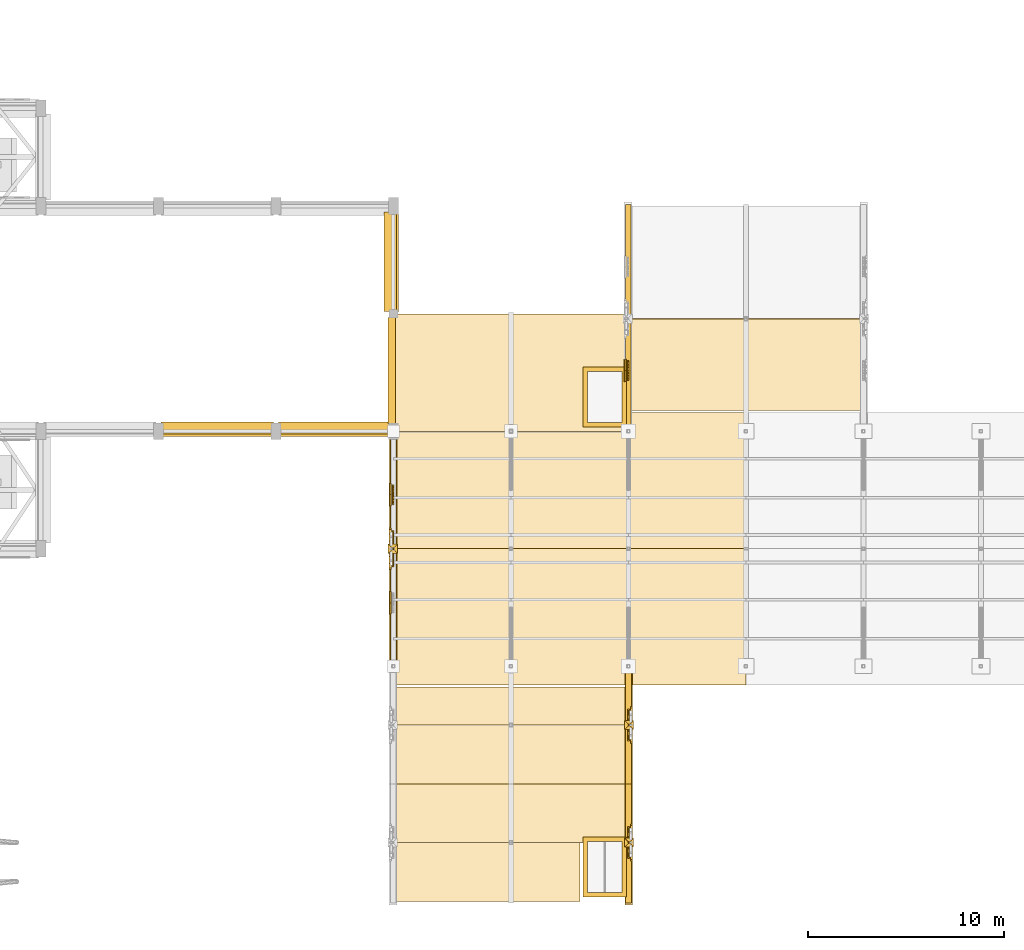
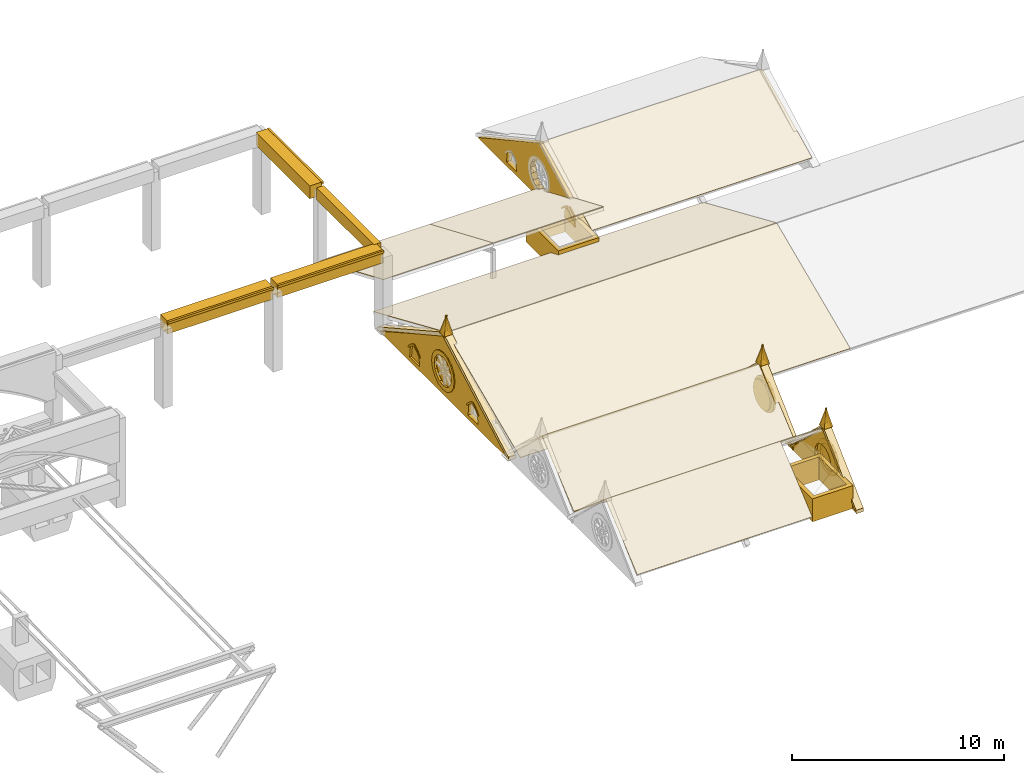
# One storey, part 55 of 59: 48 coverings.
"""IFC4 building model written with IfcOpenShell, lengths in metres."""

from ifc_helpers import new_model, si_unit, direction, frame, origin, origin_2d, place, context, subcontext, project, spatial, polyline, rectangle, outline, extrude, material, type_object, element, save


model = new_model("IFC4")

# Units and contexts
model_context = context("Model", 3, precision=1e-05, world=origin(), true_north=direction((0.0, 1.0)))
body_context = subcontext(model_context, "Body", "Model", "MODEL_VIEW")
ifc_project = project(units=[si_unit("LENGTHUNIT", "METRE"), si_unit("AREAUNIT", "SQUARE_METRE"), si_unit("VOLUMEUNIT", "CUBIC_METRE"), si_unit("PLANEANGLEUNIT", "RADIAN"), si_unit("MASSUNIT", "GRAM", prefix="KILO")], contexts=[model_context])

# Site, building, storey
site_placement = place(None, origin())
site = spatial("IfcSite", under=ifc_project, at=site_placement, CompositionType="ELEMENT")
building_placement = place(site_placement, origin())
building = spatial("IfcBuilding", under=site, at=building_placement, Name="Cumevento Cable Car Station", CompositionType="ELEMENT")
storey_placement = place(building_placement, frame((0.0, 0.0, 18.0)))
storey = spatial("IfcBuildingStorey", under=building, at=storey_placement, Name="L05", CompositionType="ELEMENT", Elevation=18.0)

# Coverings
ifc_material_1 = material(Name="Standing-Seam Zinc-Titanium Roof Sheet", Category="steel")
covering_type_1 = type_object("IfcCoveringType", Name="Standing-Seam Zinc Roofing CV-RF01", PredefinedType="ROOFING", material=ifc_material_1)
for number, where, z_axis, x_axis, name in (
    (1, (118.0, 32.050048828125, 0.49365234375), (0.0, -0.398735528577, 0.917065961777), (1.0, 0.0, 0.0), "Standing-Seam Zinc Roof Covering #13"),
    (2, (118.0, 38.9951171875, 3.517578125), (0.0, 0.398735528577, 0.917065961777), (1.0, 0.0, 0.0), "Standing-Seam Zinc Roof Covering #14"),
):
    element("IfcCovering", number, at=place(storey_placement, frame(where, z_axis=z_axis, x_axis=x_axis)), inside=storey, type_object=covering_type_1, Name=name, PredefinedType="ROOFING", context=body_context, shape_type="SweptSolid", body=[
        extrude(outline(polyline([(0.0, 0.0), (18.0, 0.0), (18.0, 7.583788161646252), (0.0, 7.583788161646252), (0.0, 0.0)])), origin(), (0.0, 0.0, -1.0), 0.02587890625),
    ])
covering_1_placement = place(storey_placement, frame((118.0, 21.0, 0.442626953125), z_axis=(0.0, -0.647650226022, 0.761937782718), x_axis=(1.0, 0.0, 0.0)))
element("IfcCovering", 3, at=covering_1_placement, inside=storey, type_object=covering_type_1, Name="Standing-Seam Zinc Roof Covering #45", PredefinedType="ROOFING", context=body_context, shape_type="SweptSolid", body=[
    extrude(outline(polyline([(0.0, 0.0), (9.5400390625, 0.0), (9.5400390625, 3.9241921088476133), (0.0, 3.9241921088476133), (0.0, 0.0)])), origin(), (0.0, 0.0, -1.0), 0.02587890625),
])
for number, where, z_axis, x_axis, name in (
    (4, (118.0, 24.010009765625, 2.984130859375), (0.0, 0.647650226022, 0.761937782718), (1.0, 0.0, 0.0), "Standing-Seam Zinc Roof Covering #46"),
    (5, (118.0, 27.0, 0.45849609375), (0.0, -0.647650226022, 0.761937782718), (1.0, 0.0, 0.0), "Standing-Seam Zinc Roof Covering #47"),
):
    element("IfcCovering", number, at=place(storey_placement, frame(where, z_axis=z_axis, x_axis=x_axis)), inside=storey, type_object=covering_type_1, Name=name, PredefinedType="ROOFING", context=body_context, shape_type="SweptSolid", body=[
        extrude(outline(polyline([(0.0, 0.0), (12.0, 0.0), (12.0, 3.924192108847613), (0.0, 3.924192108847613), (0.0, 0.0)])), origin(), (0.0, 0.0, -1.0), 0.02587890625),
    ])
covering_2_placement = place(storey_placement, frame((118.0, 30.010009765625, 3.0), z_axis=(0.0, 0.647642853154, 0.761944049625), x_axis=(1.0, 0.0, 0.0)))
element("IfcCovering", 6, at=covering_2_placement, inside=storey, type_object=covering_type_1, Name="Standing-Seam Zinc Roof Covering #48", PredefinedType="ROOFING", context=body_context, shape_type="SweptSolid", body=[
    extrude(outline(polyline([(0.0, 0.0), (12.0, 0.0), (12.0, 2.5460418087207737), (0.0, 2.5460418087207737), (0.0, 0.0)])), origin(), (0.0, 0.0, -1.0), 0.02587890625),
])
for number, where, z_axis, x_axis, name in (
    (7, (118.0, 45.0, 2.92138671875), (0.0, 0.391146984137, 0.920328222321), (1.0, 0.0, 0.0), "Standing-Seam Zinc Roof Covering #49"),
    (8, (124.0, 45.0, 2.92138671875), (0.0, 0.391146984137, 0.920328222321), (1.0, 0.0, 0.0), "Standing-Seam Zinc Roof Covering #50"),
):
    element("IfcCovering", number, at=place(storey_placement, frame(where, z_axis=z_axis, x_axis=x_axis)), inside=storey, type_object=covering_type_1, Name=name, PredefinedType="ROOFING", context=body_context, shape_type="SweptSolid", body=[
        extrude(outline(polyline([(0.0, 0.0), (6.0, 0.0), (6.0, 6.519413242449176), (0.0, 6.519413242449176), (0.0, 0.0)])), origin(), (0.0, 0.0, -1.0), 0.02587890625),
    ])
covering_3_placement = place(storey_placement, frame((130.0, 46.050048828125, 0.904052734375), z_axis=(0.0, -0.437828789366, 0.899058369185), x_axis=(1.0, 0.0, 0.0)))
element("IfcCovering", 9, at=covering_3_placement, inside=storey, type_object=covering_type_1, Name="Standing-Seam Zinc Roof Covering #51", PredefinedType="ROOFING", context=body_context, shape_type="SweptSolid", body=[
    extrude(outline(polyline([(0.0, 0.0), (12.0, 0.0), (12.0, 5.21650380775644), (0.0, 5.21650380775644), (0.0, 0.0)])), origin(), (0.0, 0.0, -1.0), 0.02587890625),
])
ifc_material_2 = material(Name="Gnaisse Facoidal Stone Ashlar 85 MPa", Category="masonry")
covering_type_2 = type_object("IfcCoveringType", Name="Gnaisse Ashlar Cladding CV-CL01", PredefinedType="CLADDING", material=ifc_material_2)
covering_4_placement = place(storey_placement, frame((109.0, 45.14990234375, 4.032958984375), z_axis=(0.0, 0.0, 1.0), x_axis=(-1.0, 0.0, 0.0)))
element("IfcCovering", 10, at=covering_4_placement, inside=storey, type_object=covering_type_2, Name="Gothic Stone Spandrel Stringcourse sc:0817", PredefinedType="CLADDING", context=body_context, shape_type="SweptSolid", body=[
    extrude(rectangle(XDim=5.739990234375, YDim=0.659912109375, at=origin_2d()), origin(), (0.0, 0.0, 1.0), 0.7470703125),
])
covering_5_placement = place(storey_placement, frame((109.0, 44.79248046875, 4.650146484375), z_axis=(0.0, 0.0, 1.0), x_axis=(-1.0, 0.0, 0.0)))
element("IfcCovering", 11, at=covering_5_placement, inside=storey, type_object=covering_type_2, Name="Gothic Cornice Dripstone Lip sc:0817", PredefinedType="CLADDING", context=body_context, shape_type="SweptSolid", body=[
    extrude(rectangle(XDim=5.780029296875, YDim=0.114990234375, at=origin_2d()), origin(), (0.0, 0.0, 1.0), 0.1298828125),
])
covering_6_placement = place(storey_placement, frame((115.0, 45.14990234375, 4.032958984375), z_axis=(0.0, 0.0, 1.0), x_axis=(-1.0, 0.0, 0.0)))
element("IfcCovering", 12, at=covering_6_placement, inside=storey, type_object=covering_type_2, Name="Gothic Stone Spandrel Stringcourse sc:0818", PredefinedType="CLADDING", context=body_context, shape_type="SweptSolid", body=[
    extrude(rectangle(XDim=5.739990234375, YDim=0.659912109375, at=origin_2d()), origin(), (0.0, 0.0, 1.0), 0.7470703125),
])
covering_7_placement = place(storey_placement, frame((115.0, 44.79248046875, 4.650146484375), z_axis=(0.0, 0.0, 1.0), x_axis=(-1.0, 0.0, 0.0)))
element("IfcCovering", 13, at=covering_7_placement, inside=storey, type_object=covering_type_2, Name="Gothic Cornice Dripstone Lip sc:0818", PredefinedType="CLADDING", context=body_context, shape_type="SweptSolid", body=[
    extrude(rectangle(XDim=5.780029296875, YDim=0.114990234375, at=origin_2d()), origin(), (0.0, 0.0, 1.0), 0.1298828125),
])
covering_8_placement = place(storey_placement, frame((117.909912109375, 48.10009765625, 4.0859375), z_axis=(0.0, 0.0, 1.0), x_axis=(0.0, -1.0, 0.0)))
element("IfcCovering", 14, at=covering_8_placement, inside=storey, type_object=covering_type_2, Name="Gothic Stone Spandrel Stringcourse sc:0822", PredefinedType="CLADDING", context=body_context, shape_type="SweptSolid", body=[
    extrude(rectangle(XDim=5.409912109375, YDim=0.3798828125, at=origin_2d()), origin(), (0.0, 0.0, 1.0), 0.694091796875),
])
covering_9_placement = place(storey_placement, frame((117.85009765625, 53.64990234375, 4.032958984375), z_axis=(0.0, 0.0, 1.0), x_axis=(0.0, -1.0, 0.0)))
element("IfcCovering", 15, at=covering_9_placement, inside=storey, type_object=covering_type_2, Name="Gothic Stone Spandrel Stringcourse sc:0823", PredefinedType="CLADDING", context=body_context, shape_type="SweptSolid", body=[
    extrude(rectangle(XDim=5.090087890625, YDim=0.659912109375, at=origin_2d()), origin(), (0.0, 0.0, 1.0), 0.7470703125),
])
covering_10_placement = place(storey_placement, frame((118.20751953125, 53.64990234375, 4.650146484375), z_axis=(0.0, 0.0, 1.0), x_axis=(0.0, -1.0, 0.0)))
element("IfcCovering", 16, at=covering_10_placement, inside=storey, type_object=covering_type_2, Name="Gothic Cornice Dripstone Lip sc:0823", PredefinedType="CLADDING", context=body_context, shape_type="SweptSolid", body=[
    extrude(rectangle(XDim=5.1298828125, YDim=0.114990234375, at=origin_2d()), origin(), (0.0, 0.0, 1.0), 0.1298828125),
])
placement_1 = place(storey_placement, frame((118.0, 33.0, 0.0), z_axis=(0.0, 0.0, 1.0), x_axis=(0.0, 1.0, 0.0)))
element("IfcCovering", 17, at=placement_1, inside=storey, type_object=covering_type_2, Name="Gothic Stone Gable Tympanum depot_garage_W", PredefinedType="CLADDING", context=body_context, shape_type="SweptSolid", body=[
    extrude(outline(polyline([(-0.080078125, -0.06005859375), (12.080078125, -0.06005859375), (6.0, 3.360107421875), (-0.080078125, -0.06005859375)]), holes=[polyline([(6.885498046875, 1.3447265625), (6.818115234375, 1.68359375), (6.626220703125, 1.970947265625), (6.3388671875, 2.1630859375), (6.0, 2.23046875), (5.6611328125, 2.1630859375), (5.373779296875, 1.970947265625), (5.181884765625, 1.68359375), (5.114501953125, 1.3447265625), (5.181884765625, 1.005859375), (5.373779296875, 0.718505859375), (5.6611328125, 0.526611328125), (6.0, 0.459228515625), (6.3388671875, 0.526611328125), (6.626220703125, 0.718505859375), (6.818115234375, 1.005859375), (6.885498046875, 1.3447265625)]), polyline([(2.764892578125, 0.179931640625), (3.715087890625, 0.179931640625), (3.6376953125, 0.84130859375), (3.55029296875, 0.9228515625), (3.453857421875, 0.993896484375), (3.35009765625, 1.052978515625), (3.239990234375, 1.099609375), (3.1298828125, 1.052978515625), (3.026123046875, 0.993896484375), (2.9296875, 0.9228515625), (2.84228515625, 0.84130859375), (2.764892578125, 0.179931640625)]), polyline([(8.284912109375, 0.179931640625), (9.235107421875, 0.179931640625), (9.15771484375, 0.84130859375), (9.0703125, 0.9228515625), (8.97412109375, 0.993896484375), (8.8701171875, 1.052978515625), (8.760009765625, 1.099609375), (8.64990234375, 1.052978515625), (8.5458984375, 0.993896484375), (8.44970703125, 0.9228515625), (8.3623046875, 0.84130859375), (8.284912109375, 0.179931640625)])]), frame((0.0, 0.159912109375, 0.0), z_axis=(0.0, -1.0, 0.0), x_axis=(1.0, 0.0, 0.0)), (0.0, 0.0, 1.0), 0.300048828125),
])
element("IfcCovering", 18, at=placement_1, inside=storey, type_object=covering_type_2, Name="Gothic Gable Recessed Tracery Backing depot_garage_W rose", PredefinedType="CLADDING", context=body_context, shape_type="SweptSolid", body=[
    extrude(outline(polyline([(6.925537109375, 1.3447265625), (6.855224609375, 1.698974609375), (6.654541015625, 1.999267578125), (6.354248046875, 2.199951171875), (6.0, 2.2705078125), (5.645751953125, 2.199951171875), (5.345458984375, 1.999267578125), (5.144775390625, 1.698974609375), (5.074462890625, 1.3447265625), (5.144775390625, 0.990478515625), (5.345458984375, 0.690185546875), (5.645751953125, 0.48974609375), (6.0, 0.419189453125), (6.354248046875, 0.48974609375), (6.654541015625, 0.690185546875), (6.855224609375, 0.990478515625), (6.925537109375, 1.3447265625)])), frame((0.0, 0.050048828125, 0.0), z_axis=(0.0, -1.0, 0.0), x_axis=(1.0, 0.0, 0.0)), (0.0, 0.0, 1.0), 0.074951171875),
])
element("IfcCovering", 19, at=placement_1, inside=storey, type_object=covering_type_2, Name="Gothic Gable Recessed Tracery Backing depot_garage_W lancet_1", PredefinedType="CLADDING", context=body_context, shape_type="SweptSolid", body=[
    extrude(outline(polyline([(8.2548828125, 0.14990234375), (9.264892578125, 0.14990234375), (9.1826171875, 0.847412109375), (9.089599609375, 0.933349609375), (8.987060546875, 1.008056640625), (8.876708984375, 1.070556640625), (8.760009765625, 1.11962890625), (8.643310546875, 1.070556640625), (8.532958984375, 1.008056640625), (8.430419921875, 0.933349609375), (8.33740234375, 0.847412109375), (8.2548828125, 0.14990234375)])), frame((0.0, 0.050048828125, 0.0), z_axis=(0.0, -1.0, 0.0), x_axis=(1.0, 0.0, 0.0)), (0.0, 0.0, 1.0), 0.074951171875),
])
element("IfcCovering", 20, at=placement_1, inside=storey, type_object=covering_type_2, Name="Gothic 16-Sided Stone Rose Window Ring depot_garage_W", PredefinedType="CLADDING", context=body_context, shape_type="SweptSolid", body=[
    extrude(outline(polyline([(7.065673828125, 1.3447265625), (6.984375, 1.752685546875), (6.75341796875, 2.098388671875), (6.40771484375, 2.329345703125), (6.0, 2.410400390625), (5.59228515625, 2.329345703125), (5.24658203125, 2.098388671875), (5.015625, 1.752685546875), (4.934326171875, 1.3447265625), (5.015625, 0.93701171875), (5.24658203125, 0.59130859375), (5.59228515625, 0.3603515625), (6.0, 0.279296875), (6.40771484375, 0.3603515625), (6.75341796875, 0.59130859375), (6.984375, 0.93701171875), (7.065673828125, 1.3447265625)]), holes=[polyline([(6.815673828125, 1.3447265625), (6.75341796875, 1.656982421875), (6.57666015625, 1.921630859375), (6.31201171875, 2.098388671875), (6.0, 2.160400390625), (5.68798828125, 2.098388671875), (5.42333984375, 1.921630859375), (5.24658203125, 1.656982421875), (5.184326171875, 1.3447265625), (5.24658203125, 1.03271484375), (5.42333984375, 0.76806640625), (5.68798828125, 0.59130859375), (6.0, 0.529296875), (6.31201171875, 0.59130859375), (6.57666015625, 0.76806640625), (6.75341796875, 1.03271484375), (6.815673828125, 1.3447265625)])]), frame((0.0, 0.215087890625, 0.0), z_axis=(0.0, -1.0, 0.0), x_axis=(1.0, 0.0, 0.0)), (0.0, 0.0, 1.0), 0.110107421875),
])
element("IfcCovering", 21, at=placement_1, inside=storey, type_object=covering_type_2, Name="Gable Lancet Stone Hood Moulding depot_garage_W #1", PredefinedType="CLADDING", context=body_context, shape_type="SweptSolid", body=[
    extrude(outline(polyline([(2.764892578125, 0.750244140625), (2.84228515625, 0.84130859375), (2.9296875, 0.9228515625), (3.026123046875, 0.993896484375), (3.1298828125, 1.052978515625), (3.239990234375, 1.099609375), (3.35009765625, 1.052978515625), (3.453857421875, 0.993896484375), (3.55029296875, 0.9228515625), (3.6376953125, 0.84130859375), (3.715087890625, 0.750244140625), (3.804931640625, 0.750244140625), (3.718017578125, 0.87158203125), (3.6162109375, 0.980712890625), (3.501220703125, 1.076171875), (3.375244140625, 1.15625), (3.239990234375, 1.219482421875), (3.104736328125, 1.15625), (2.978759765625, 1.076171875), (2.86376953125, 0.980712890625), (2.761962890625, 0.87158203125), (2.675048828125, 0.750244140625), (2.764892578125, 0.750244140625)])), frame((0.0, 0.205078125, 0.0), z_axis=(0.0, -1.0, 0.0), x_axis=(1.0, 0.0, 0.0)), (0.0, 0.0, 1.0), 0.090087890625),
])
element("IfcCovering", 22, at=placement_1, inside=storey, type_object=covering_type_2, Name="Gable Lancet Stone Hood Moulding depot_garage_W #2", PredefinedType="CLADDING", context=body_context, shape_type="SweptSolid", body=[
    extrude(outline(polyline([(8.284912109375, 0.750244140625), (8.3623046875, 0.84130859375), (8.44970703125, 0.9228515625), (8.5458984375, 0.993896484375), (8.64990234375, 1.052978515625), (8.760009765625, 1.099609375), (8.8701171875, 1.052978515625), (8.97412109375, 0.993896484375), (9.0703125, 0.9228515625), (9.15771484375, 0.84130859375), (9.235107421875, 0.750244140625), (9.324951171875, 0.750244140625), (9.238037109375, 0.87158203125), (9.13623046875, 0.980712890625), (9.021240234375, 1.076171875), (8.895263671875, 1.15625), (8.760009765625, 1.219482421875), (8.624755859375, 1.15625), (8.498779296875, 1.076171875), (8.3837890625, 0.980712890625), (8.281982421875, 0.87158203125), (8.195068359375, 0.750244140625), (8.284912109375, 0.750244140625)])), frame((0.0, 0.205078125, 0.0), z_axis=(0.0, -1.0, 0.0), x_axis=(1.0, 0.0, 0.0)), (0.0, 0.0, 1.0), 0.090087890625),
])
element("IfcCovering", 23, at=placement_1, inside=storey, type_object=covering_type_2, Name="Raking Gothic Stone Gable Coping depot_garage_W", PredefinedType="CLADDING", context=body_context, shape_type="SweptSolid", body=[
    extrude(outline(polyline([(-0.199951171875, -0.06005859375), (6.0, 3.360107421875), (12.199951171875, -0.06005859375), (12.199951171875, 0.139892578125), (6.0, 3.60009765625), (-0.199951171875, 0.139892578125), (-0.199951171875, -0.06005859375)])), frame((0.0, 0.219970703125, 0.0), z_axis=(0.0, -1.0, 0.0), x_axis=(1.0, 0.0, 0.0)), (0.0, 0.0, 1.0), 0.39990234375),
])
for number, where, z_axis, x_axis, name in (
    (24, (118.2099609375, 38.760009765625, 3.4599609375), (0.97486272659, 0.0, 0.222806338116), (0.0, 1.0, 0.0), "Gothic Gable Finial Spire Facet 1 depot_garage_W"),
    (25, (118.2099609375, 39.239990234375, 3.4599609375), (0.0, 0.97486272659, 0.222806338116), (-1.0, 0.0, 0.0), "Gothic Gable Finial Spire Facet 2 depot_garage_W"),
    (26, (117.72998046875, 39.239990234375, 3.4599609375), (-0.97486272659, 0.0, 0.222806338116), (0.0, -1.0, 0.0), "Gothic Gable Finial Spire Facet 3 depot_garage_W"),
    (27, (117.72998046875, 38.760009765625, 3.4599609375), (0.0, -0.97486272659, 0.222806338116), (1.0, 0.0, 0.0), "Gothic Gable Finial Spire Facet 4 depot_garage_W"),
):
    element("IfcCovering", number, at=place(storey_placement, frame(where, z_axis=z_axis, x_axis=x_axis)), inside=storey, type_object=covering_type_2, Name=name, PredefinedType="CLADDING", context=body_context, shape_type="SweptSolid", body=[
        extrude(outline(polyline([(0.0, 0.0), (0.47998046875, 0.0), (0.239990234375, 1.0771248089437238), (0.0, 0.0)])), origin(), (0.0, 0.0, -1.0), 0.06494140625),
    ])
placement_2 = place(storey_placement, frame((130.0, 27.0, 0.0), z_axis=(0.0, 0.0, 1.0), x_axis=(0.0, -1.0, 0.0)))
element("IfcCovering", 28, at=placement_2, inside=storey, type_object=covering_type_2, Name="Gothic Stone Gable Tympanum wing_B_V4b_core_E", PredefinedType="CLADDING", context=body_context, shape_type="SweptSolid", body=[
    extrude(outline(polyline([(-0.080078125, -0.06005859375), (6.080078125, -0.06005859375), (3.0, 2.909912109375), (-0.080078125, -0.06005859375)]), holes=[polyline([(3.76416015625, 1.160400390625), (3.7060546875, 1.45263671875), (3.540283203125, 1.70068359375), (3.29248046875, 1.8662109375), (3.0, 1.92431640625), (2.70751953125, 1.8662109375), (2.459716796875, 1.70068359375), (2.2939453125, 1.45263671875), (2.23583984375, 1.160400390625), (2.2939453125, 0.867919921875), (2.459716796875, 0.6201171875), (2.70751953125, 0.454345703125), (3.0, 0.396240234375), (3.29248046875, 0.454345703125), (3.540283203125, 0.6201171875), (3.7060546875, 0.867919921875), (3.76416015625, 1.160400390625)])]), frame((0.0, 0.159912109375, 0.0), z_axis=(0.0, -1.0, 0.0), x_axis=(1.0, 0.0, 0.0)), (0.0, 0.0, 1.0), 0.300048828125),
])
element("IfcCovering", 29, at=placement_2, inside=storey, type_object=covering_type_2, Name="Gothic Gable Recessed Tracery Backing wing_B_V4b_core_E rose", PredefinedType="CLADDING", context=body_context, shape_type="SweptSolid", body=[
    extrude(outline(polyline([(3.80419921875, 1.160400390625), (3.742919921875, 1.468017578125), (3.568603515625, 1.72900390625), (3.3076171875, 1.903076171875), (3.0, 1.96435546875), (2.6923828125, 1.903076171875), (2.431396484375, 1.72900390625), (2.257080078125, 1.468017578125), (2.19580078125, 1.160400390625), (2.257080078125, 0.8525390625), (2.431396484375, 0.591796875), (2.6923828125, 0.41748046875), (3.0, 0.356201171875), (3.3076171875, 0.41748046875), (3.568603515625, 0.591796875), (3.742919921875, 0.8525390625), (3.80419921875, 1.160400390625)])), frame((0.0, 0.050048828125, 0.0), z_axis=(0.0, -1.0, 0.0), x_axis=(1.0, 0.0, 0.0)), (0.0, 0.0, 1.0), 0.074951171875),
])
element("IfcCovering", 30, at=placement_2, inside=storey, type_object=covering_type_2, Name="Gothic 16-Sided Stone Rose Window Ring wing_B_V4b_core_E", PredefinedType="CLADDING", context=body_context, shape_type="SweptSolid", body=[
    extrude(outline(polyline([(3.944091796875, 1.160400390625), (3.872314453125, 1.521484375), (3.66748046875, 1.827880859375), (3.361328125, 2.032470703125), (3.0, 2.1044921875), (2.638671875, 2.032470703125), (2.33251953125, 1.827880859375), (2.127685546875, 1.521484375), (2.055908203125, 1.160400390625), (2.127685546875, 0.799072265625), (2.33251953125, 0.49267578125), (2.638671875, 0.2880859375), (3.0, 0.21630859375), (3.361328125, 0.2880859375), (3.66748046875, 0.49267578125), (3.872314453125, 0.799072265625), (3.944091796875, 1.160400390625)]), holes=[polyline([(3.694091796875, 1.160400390625), (3.641357421875, 1.426025390625), (3.49072265625, 1.651123046875), (3.265625, 1.801513671875), (3.0, 1.8544921875), (2.734375, 1.801513671875), (2.50927734375, 1.651123046875), (2.358642578125, 1.426025390625), (2.305908203125, 1.160400390625), (2.358642578125, 0.894775390625), (2.50927734375, 0.66943359375), (2.734375, 0.51904296875), (3.0, 0.46630859375), (3.265625, 0.51904296875), (3.49072265625, 0.66943359375), (3.641357421875, 0.894775390625), (3.694091796875, 1.160400390625)])]), frame((0.0, 0.215087890625, 0.0), z_axis=(0.0, -1.0, 0.0), x_axis=(1.0, 0.0, 0.0)), (0.0, 0.0, 1.0), 0.110107421875),
])
element("IfcCovering", 31, at=placement_2, inside=storey, type_object=covering_type_2, Name="Raking Gothic Stone Gable Coping wing_B_V4b_core_E", PredefinedType="CLADDING", context=body_context, shape_type="SweptSolid", body=[
    extrude(outline(polyline([(-0.199951171875, -0.06005859375), (3.0, 2.909912109375), (6.199951171875, -0.06005859375), (6.199951171875, 0.139892578125), (3.0, 3.14990234375), (-0.199951171875, 0.139892578125), (-0.199951171875, -0.06005859375)])), frame((0.0, 0.219970703125, 0.0), z_axis=(0.0, -1.0, 0.0), x_axis=(1.0, 0.0, 0.0)), (0.0, 0.0, 1.0), 0.39990234375),
])
for number, where, z_axis, x_axis, name in (
    (32, (129.7900390625, 24.239990234375, 3.010009765625), (-0.97486272659, 0.0, 0.222806338116), (0.0, -1.0, 0.0), "Gothic Gable Finial Spire Facet 1 wing_B_V4b_core_E"),
    (33, (129.7900390625, 23.760009765625, 3.010009765625), (0.0, -0.97486272659, 0.222806338116), (1.0, 0.0, 0.0), "Gothic Gable Finial Spire Facet 2 wing_B_V4b_core_E"),
    (34, (130.27001953125, 23.760009765625, 3.010009765625), (0.97486272659, 0.0, 0.222806338116), (0.0, 1.0, 0.0), "Gothic Gable Finial Spire Facet 3 wing_B_V4b_core_E"),
    (35, (130.27001953125, 24.239990234375, 3.010009765625), (0.0, 0.97486272659, 0.222806338116), (-1.0, 0.0, 0.0), "Gothic Gable Finial Spire Facet 4 wing_B_V4b_core_E"),
):
    element("IfcCovering", number, at=place(storey_placement, frame(where, z_axis=z_axis, x_axis=x_axis)), inside=storey, type_object=covering_type_2, Name=name, PredefinedType="CLADDING", context=body_context, shape_type="SweptSolid", body=[
        extrude(outline(polyline([(0.0, 0.0), (0.47998046875, 0.0), (0.239990234375, 1.0771248089437238), (0.0, 0.0)])), origin(), (0.0, 0.0, -1.0), 0.06494140625),
    ])
placement_3 = place(storey_placement, frame((130.0, 33.0, 0.0), z_axis=(0.0, 0.0, 1.0), x_axis=(0.0, -1.0, 0.0)))
element("IfcCovering", 36, at=placement_3, inside=storey, type_object=covering_type_2, Name="Gothic Stone Gable Tympanum wing_B_V4b_E", PredefinedType="CLADDING", context=body_context, shape_type="SweptSolid", body=[
    extrude(outline(polyline([(-0.080078125, -0.06005859375), (6.080078125, -0.06005859375), (3.0, 2.909912109375), (-0.080078125, -0.06005859375)]), holes=[polyline([(3.76416015625, 1.160400390625), (3.7060546875, 1.45263671875), (3.540283203125, 1.70068359375), (3.29248046875, 1.8662109375), (3.0, 1.92431640625), (2.70751953125, 1.8662109375), (2.459716796875, 1.70068359375), (2.2939453125, 1.45263671875), (2.23583984375, 1.160400390625), (2.2939453125, 0.867919921875), (2.459716796875, 0.6201171875), (2.70751953125, 0.454345703125), (3.0, 0.396240234375), (3.29248046875, 0.454345703125), (3.540283203125, 0.6201171875), (3.7060546875, 0.867919921875), (3.76416015625, 1.160400390625)])]), frame((0.0, 0.159912109375, 0.0), z_axis=(0.0, -1.0, 0.0), x_axis=(1.0, 0.0, 0.0)), (0.0, 0.0, 1.0), 0.300048828125),
])
element("IfcCovering", 37, at=placement_3, inside=storey, type_object=covering_type_2, Name="Gothic Gable Recessed Tracery Backing wing_B_V4b_E rose", PredefinedType="CLADDING", context=body_context, shape_type="SweptSolid", body=[
    extrude(outline(polyline([(3.80419921875, 1.160400390625), (3.742919921875, 1.468017578125), (3.568603515625, 1.72900390625), (3.3076171875, 1.903076171875), (3.0, 1.96435546875), (2.6923828125, 1.903076171875), (2.431396484375, 1.72900390625), (2.257080078125, 1.468017578125), (2.19580078125, 1.160400390625), (2.257080078125, 0.8525390625), (2.431396484375, 0.591796875), (2.6923828125, 0.41748046875), (3.0, 0.356201171875), (3.3076171875, 0.41748046875), (3.568603515625, 0.591796875), (3.742919921875, 0.8525390625), (3.80419921875, 1.160400390625)])), frame((0.0, 0.050048828125, 0.0), z_axis=(0.0, -1.0, 0.0), x_axis=(1.0, 0.0, 0.0)), (0.0, 0.0, 1.0), 0.074951171875),
])
element("IfcCovering", 38, at=placement_3, inside=storey, type_object=covering_type_2, Name="Gothic 16-Sided Stone Rose Window Ring wing_B_V4b_E", PredefinedType="CLADDING", context=body_context, shape_type="SweptSolid", body=[
    extrude(outline(polyline([(3.944091796875, 1.160400390625), (3.872314453125, 1.521484375), (3.66748046875, 1.827880859375), (3.361328125, 2.032470703125), (3.0, 2.1044921875), (2.638671875, 2.032470703125), (2.33251953125, 1.827880859375), (2.127685546875, 1.521484375), (2.055908203125, 1.160400390625), (2.127685546875, 0.799072265625), (2.33251953125, 0.49267578125), (2.638671875, 0.2880859375), (3.0, 0.21630859375), (3.361328125, 0.2880859375), (3.66748046875, 0.49267578125), (3.872314453125, 0.799072265625), (3.944091796875, 1.160400390625)]), holes=[polyline([(3.694091796875, 1.160400390625), (3.641357421875, 1.426025390625), (3.49072265625, 1.651123046875), (3.265625, 1.801513671875), (3.0, 1.8544921875), (2.734375, 1.801513671875), (2.50927734375, 1.651123046875), (2.358642578125, 1.426025390625), (2.305908203125, 1.160400390625), (2.358642578125, 0.894775390625), (2.50927734375, 0.66943359375), (2.734375, 0.51904296875), (3.0, 0.46630859375), (3.265625, 0.51904296875), (3.49072265625, 0.66943359375), (3.641357421875, 0.894775390625), (3.694091796875, 1.160400390625)])]), frame((0.0, 0.215087890625, 0.0), z_axis=(0.0, -1.0, 0.0), x_axis=(1.0, 0.0, 0.0)), (0.0, 0.0, 1.0), 0.110107421875),
])
element("IfcCovering", 39, at=placement_3, inside=storey, type_object=covering_type_2, Name="Raking Gothic Stone Gable Coping wing_B_V4b_E", PredefinedType="CLADDING", context=body_context, shape_type="SweptSolid", body=[
    extrude(outline(polyline([(-0.199951171875, -0.06005859375), (3.0, 2.909912109375), (6.199951171875, -0.06005859375), (6.199951171875, 0.139892578125), (3.0, 3.14990234375), (-0.199951171875, 0.139892578125), (-0.199951171875, -0.06005859375)])), frame((0.0, 0.219970703125, 0.0), z_axis=(0.0, -1.0, 0.0), x_axis=(1.0, 0.0, 0.0)), (0.0, 0.0, 1.0), 0.39990234375),
])
for number, where, z_axis, x_axis, name in (
    (40, (129.7900390625, 30.239990234375, 3.010009765625), (-0.97486272659, 0.0, 0.222806338116), (0.0, -1.0, 0.0), "Gothic Gable Finial Spire Facet 1 wing_B_V4b_E"),
    (41, (129.7900390625, 29.760009765625, 3.010009765625), (0.0, -0.97486272659, 0.222806338116), (1.0, 0.0, 0.0), "Gothic Gable Finial Spire Facet 2 wing_B_V4b_E"),
    (42, (130.27001953125, 29.760009765625, 3.010009765625), (0.97486272659, 0.0, 0.222806338116), (0.0, 1.0, 0.0), "Gothic Gable Finial Spire Facet 3 wing_B_V4b_E"),
    (43, (130.27001953125, 30.239990234375, 3.010009765625), (0.0, 0.97486272659, 0.222806338116), (-1.0, 0.0, 0.0), "Gothic Gable Finial Spire Facet 4 wing_B_V4b_E"),
):
    element("IfcCovering", number, at=place(storey_placement, frame(where, z_axis=z_axis, x_axis=x_axis)), inside=storey, type_object=covering_type_2, Name=name, PredefinedType="CLADDING", context=body_context, shape_type="SweptSolid", body=[
        extrude(outline(polyline([(0.0, 0.0), (0.47998046875, 0.0), (0.239990234375, 1.0771248089437238), (0.0, 0.0)])), origin(), (0.0, 0.0, -1.0), 0.06494140625),
    ])
placement_4 = place(storey_placement, frame((130.0, 45.0, 0.0), z_axis=(0.0, 0.0, 1.0), x_axis=(0.0, 1.0, 0.0)))
element("IfcCovering", 44, at=placement_4, inside=storey, type_object=covering_type_2, Name="Gothic Stone Gable Tympanum wing_B_V5c_W", PredefinedType="CLADDING", context=body_context, shape_type="SweptSolid", body=[
    extrude(outline(polyline([(-0.080078125, -0.06005859375), (11.580078125, -0.06005859375), (5.75, 3.159912109375), (-0.080078125, -0.06005859375)]), holes=[polyline([(6.58154296875, 1.2626953125), (6.518310546875, 1.5810546875), (6.338134765625, 1.850830078125), (6.068359375, 2.031005859375), (5.75, 2.094482421875), (5.431640625, 2.031005859375), (5.161865234375, 1.850830078125), (4.981689453125, 1.5810546875), (4.91845703125, 1.2626953125), (4.981689453125, 0.944580078125), (5.161865234375, 0.6748046875), (5.431640625, 0.494384765625), (5.75, 0.43115234375), (6.068359375, 0.494384765625), (6.338134765625, 0.6748046875), (6.518310546875, 0.944580078125), (6.58154296875, 1.2626953125)]), polyline([(2.6298828125, 0.179931640625), (3.580078125, 0.179931640625), (3.499267578125, 0.768798828125), (3.410400390625, 0.841552734375), (3.314453125, 0.904541015625), (3.212158203125, 0.956787109375), (3.10498046875, 0.997802734375), (2.997802734375, 0.956787109375), (2.8955078125, 0.904541015625), (2.799560546875, 0.841552734375), (2.710693359375, 0.768798828125), (2.6298828125, 0.179931640625)]), polyline([(7.919921875, 0.179931640625), (8.8701171875, 0.179931640625), (8.78955078125, 0.768798828125), (8.70068359375, 0.841552734375), (8.6044921875, 0.904541015625), (8.502197265625, 0.956787109375), (8.39501953125, 0.997802734375), (8.287841796875, 0.956787109375), (8.185546875, 0.904541015625), (8.08935546875, 0.841552734375), (8.00048828125, 0.768798828125), (7.919921875, 0.179931640625)])]), frame((0.0, 0.159912109375, 0.0), z_axis=(0.0, -1.0, 0.0), x_axis=(1.0, 0.0, 0.0)), (0.0, 0.0, 1.0), 0.300048828125),
])
element("IfcCovering", 45, at=placement_4, inside=storey, type_object=covering_type_2, Name="Gothic Gable Recessed Tracery Backing wing_B_V5c_W lancet_0", PredefinedType="CLADDING", context=body_context, shape_type="SweptSolid", body=[
    extrude(outline(polyline([(2.60009765625, 0.14990234375), (3.610107421875, 0.14990234375), (3.524169921875, 0.77490234375), (3.4296875, 0.85205078125), (3.32763671875, 0.918701171875), (3.218994140625, 0.974365234375), (3.10498046875, 1.017822265625), (2.990966796875, 0.974365234375), (2.88232421875, 0.918701171875), (2.7802734375, 0.85205078125), (2.685791015625, 0.77490234375), (2.60009765625, 0.14990234375)])), frame((0.0, 0.050048828125, 0.0), z_axis=(0.0, -1.0, 0.0), x_axis=(1.0, 0.0, 0.0)), (0.0, 0.0, 1.0), 0.074951171875),
])
element("IfcCovering", 46, at=placement_4, inside=storey, type_object=covering_type_2, Name="Gable Lancet Stone Hood Moulding wing_B_V5c_W #1", PredefinedType="CLADDING", context=body_context, shape_type="SweptSolid", body=[
    extrude(outline(polyline([(2.6298828125, 0.68701171875), (2.710693359375, 0.768798828125), (2.799560546875, 0.841552734375), (2.8955078125, 0.904541015625), (2.997802734375, 0.956787109375), (3.10498046875, 0.997802734375), (3.212158203125, 0.956787109375), (3.314453125, 0.904541015625), (3.410400390625, 0.841552734375), (3.499267578125, 0.768798828125), (3.580078125, 0.68701171875), (3.669921875, 0.68701171875), (3.579345703125, 0.79931640625), (3.47607421875, 0.899658203125), (3.361328125, 0.987060546875), (3.237060546875, 1.060302734375), (3.10498046875, 1.117919921875), (2.972900390625, 1.060302734375), (2.8486328125, 0.987060546875), (2.73388671875, 0.899658203125), (2.630615234375, 0.79931640625), (2.5400390625, 0.68701171875), (2.6298828125, 0.68701171875)])), frame((0.0, 0.205078125, 0.0), z_axis=(0.0, -1.0, 0.0), x_axis=(1.0, 0.0, 0.0)), (0.0, 0.0, 1.0), 0.090087890625),
])
covering_29_placement = place(storey_placement, frame((0.0, 0.0, -0.030029296875)))
element("IfcCovering", 47, at=covering_29_placement, inside=storey, type_object=covering_type_2, Name="Gothic Stone Lift Overrun Turret #5", PredefinedType="CLADDING", context=body_context, shape_type="SweptSolid", body=[
    extrude(outline(polyline([(127.679931640625, 21.219970703125), (127.679931640625, 24.280029296875), (129.89990234375, 24.280029296875), (129.89990234375, 21.219970703125), (127.679931640625, 21.219970703125)]), holes=[polyline([(129.679931640625, 24.06005859375), (127.89990234375, 24.06005859375), (127.89990234375, 21.43994140625), (129.679931640625, 21.43994140625), (129.679931640625, 24.06005859375)])]), origin(), (0.0, 0.0, 1.0), 1.320068359375),
])
covering_30_placement = place(storey_placement, frame((0.0, 0.0, -0.280029296875)))
element("IfcCovering", 48, at=covering_30_placement, inside=storey, type_object=covering_type_2, Name="Gothic Stone Lift Overrun Turret #6", PredefinedType="CLADDING", context=body_context, shape_type="SweptSolid", body=[
    extrude(outline(polyline([(127.679931640625, 45.219970703125), (127.679931640625, 48.280029296875), (129.89990234375, 48.280029296875), (129.89990234375, 45.219970703125), (127.679931640625, 45.219970703125)]), holes=[polyline([(129.679931640625, 48.06005859375), (127.89990234375, 48.06005859375), (127.89990234375, 45.43994140625), (129.679931640625, 45.43994140625), (129.679931640625, 48.06005859375)])]), origin(), (0.0, 0.0, 1.0), 1.320068359375),
])

save(model, "model.ifc")
